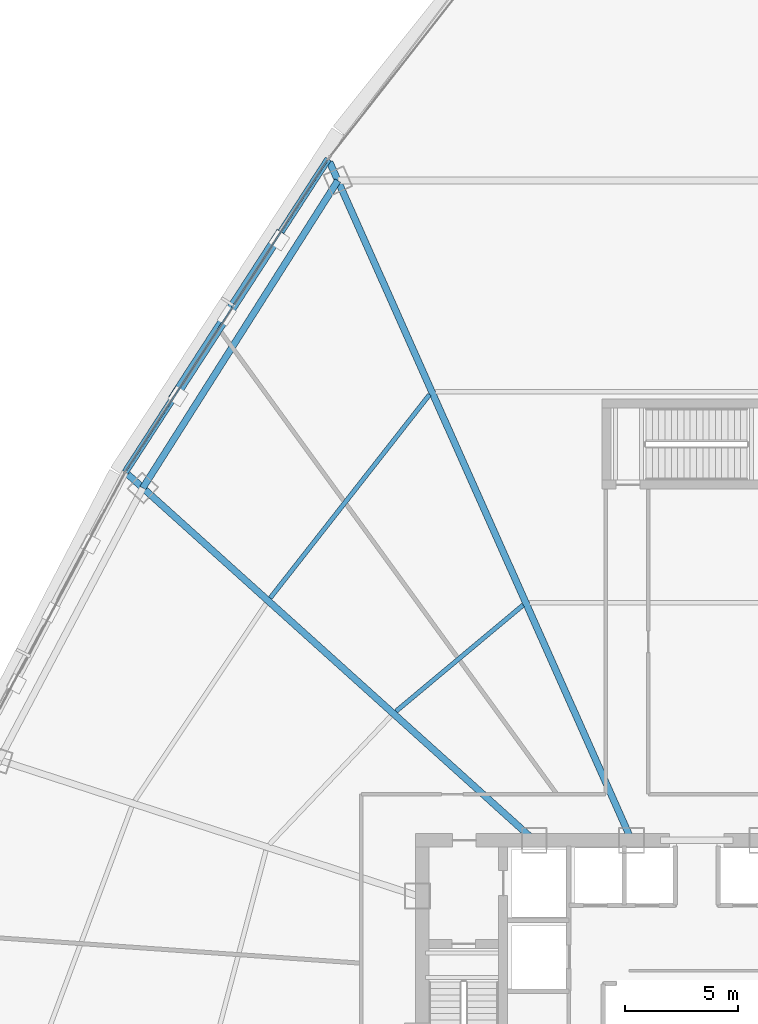
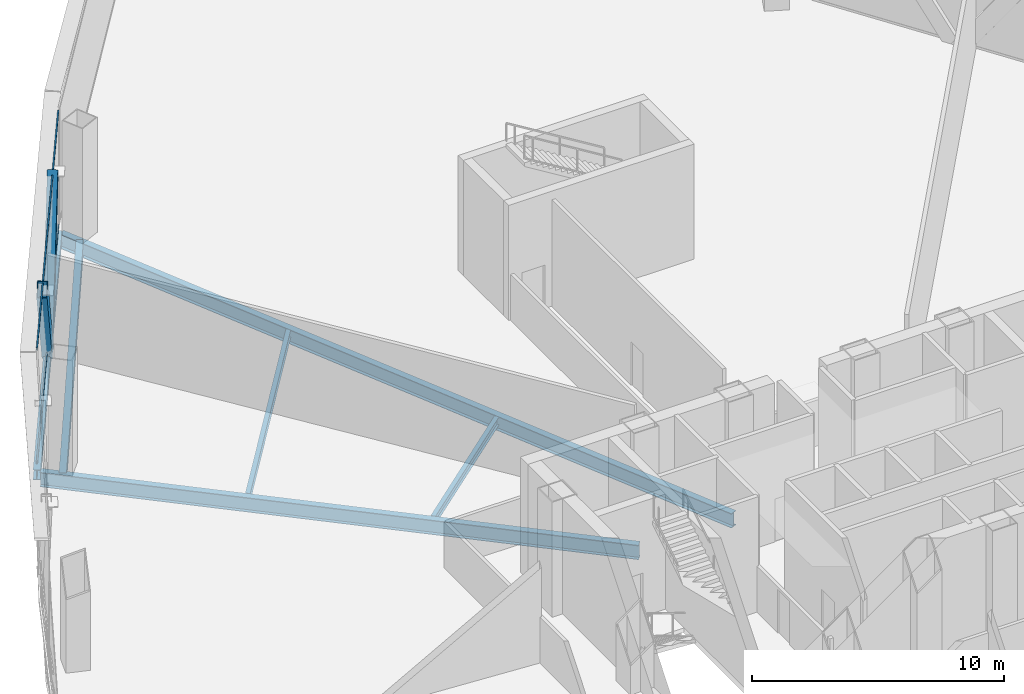
# One storey, part 16 of 36: 6 beams, 4 members, 1 element without a shape of its own.
"""IFC4 building model written with IfcOpenShell, lengths in metres."""

from ifc_helpers import new_model, si_unit, direction, frame, origin, origin_2d, place, context, subcontext, project, spatial, hollow_rectangle, i_section, extrude, source, transform, mapped, material, layer, layer_set, material_profile, profile_set, type_object, element, aggregate, save


model = new_model("IFC4")

# Units and contexts
model_context = context("Model", 3, precision=1e-05, world=origin(), true_north=direction((0.0, 1.0)))
body_context = subcontext(model_context, "Body", "Model", "MODEL_VIEW")
ifc_project = project(units=[si_unit("LENGTHUNIT", "METRE"), si_unit("AREAUNIT", "SQUARE_METRE"), si_unit("VOLUMEUNIT", "CUBIC_METRE"), si_unit("PLANEANGLEUNIT", "RADIAN"), si_unit("MASSUNIT", "GRAM", prefix="KILO"), si_unit("THERMODYNAMICTEMPERATUREUNIT", "KELVIN"), si_unit("POWERUNIT", "WATT")], contexts=[model_context])

# Site, building, storey
site_placement = place(None, origin())
site = spatial("IfcSite", under=ifc_project, at=site_placement, CompositionType="ELEMENT")
building_placement = place(site_placement, origin())
building = spatial("IfcBuilding", under=site, at=building_placement, Name="Yunzhuo Pagoda Commons", CompositionType="ELEMENT")
storey_placement = place(building_placement, frame((0.0, 0.0, 119.179931640625)))
storey = spatial("IfcBuildingStorey", under=building, at=storey_placement, Name="L30", CompositionType="ELEMENT", Elevation=119.179931640625)

# Beams
ifc_material_1 = material(Name="Structural steel Q355B", Category="steel")
ifc_material_profile_1 = material_profile(ifc_material_1, i_section(OverallWidth=0.300048828125, OverallDepth=0.699951171875, WebThickness=0.012939453125, FlangeThickness=0.02392578125, at=origin_2d()), Name="Structural steel Q355B")
ifc_profile_set_1 = profile_set([ifc_material_profile_1], Name="Structural steel Q355B")
beam_type_1 = type_object("IfcBeamType", Name="B-RG1 Beam HN 700x300x13x24", PredefinedType="BEAM", material=ifc_profile_set_1)
shared_shape_1 = source(origin(), body_context, "Body", "SweptSolid", [
    extrude(i_section(OverallWidth=0.300048828125, OverallDepth=0.699951171875, WebThickness=0.012939453125, FlangeThickness=0.02392578125, at=origin_2d()), origin(), (0.0, 0.0, 1.0), 16.16845703125),
])
beam_1_placement = place(storey_placement, frame((32.05859375, 69.505126953125, -0.6298828125), z_axis=(-0.535695673154, -0.844411123662, 0.0), x_axis=(0.844411123662, -0.535695673154, 0.0)))
element("IfcBeam", 1, at=beam_1_placement, inside=storey, type_object=beam_type_1, Name="L30 column-ring beam 9", PredefinedType="BEAM", context=body_context, shape_type="MappedRepresentation", body=[
    mapped(shared_shape_1, transform((0.0, 0.0, 0.0), scale=1.0)),
])
ifc_material_profile_2 = material_profile(ifc_material_1, i_section(OverallWidth=0.199951171875, OverallDepth=0.39990234375, WebThickness=0.008056640625, FlangeThickness=0.012939453125, at=origin_2d()), Name="Structural steel Q355B")
ifc_profile_set_2 = profile_set([ifc_material_profile_2], Name="Structural steel Q355B")
beam_type_2 = type_object("IfcBeamType", Name="B-JS1 Joist HN 400x200x8x13", PredefinedType="JOIST", material=ifc_profile_set_2)
shared_shape_2 = source(origin(), body_context, "Body", "SweptSolid", [
    extrude(i_section(OverallWidth=0.199951171875, OverallDepth=0.39990234375, WebThickness=0.008056640625, FlangeThickness=0.012939453125, at=origin_2d()), origin(), (0.0, 0.0, 1.0), 7.35009765625),
])
beam_2_placement = place(storey_placement, frame((40.286865234375, 50.64794921875, -0.47998046875), z_axis=(-0.767561992249, -0.640974717173, 0.0), x_axis=(0.640974717173, -0.767561992249, 0.0)))
element("IfcBeam", 2, at=beam_2_placement, inside=storey, type_object=beam_type_2, Name="L30 composite ring joist 1.9", PredefinedType="JOIST", context=body_context, shape_type="MappedRepresentation", body=[
    mapped(shared_shape_2, transform((0.0, 0.0, 0.0), scale=1.0)),
])
shared_shape_3 = source(origin(), body_context, "Body", "SweptSolid", [
    extrude(i_section(OverallWidth=0.199951171875, OverallDepth=0.39990234375, WebThickness=0.008056640625, FlangeThickness=0.012939453125, at=origin_2d()), origin(), (0.0, 0.0, 1.0), 11.4755859375),
])
beam_3_placement = place(storey_placement, frame((36.135498046875, 60.002197265625, -0.47998046875), z_axis=(-0.616713174055, -0.787187945123, 0.0), x_axis=(0.787187945123, -0.616713174055, 0.0)))
element("IfcBeam", 3, at=beam_3_placement, inside=storey, type_object=beam_type_2, Name="L30 composite ring joist 2.9", PredefinedType="JOIST", context=body_context, shape_type="MappedRepresentation", body=[
    mapped(shared_shape_3, transform((0.0, 0.0, 0.0), scale=1.0)),
])
shared_shape_4 = source(origin(), body_context, "Body", "SweptSolid", [
    extrude(i_section(OverallWidth=0.300048828125, OverallDepth=0.699951171875, WebThickness=0.012939453125, FlangeThickness=0.02392578125, at=origin_2d()), origin(), (0.0, 0.0, 1.0), 24.287353515625),
])
beam_4_placement = place(storey_placement, frame((22.732177734375, 56.451416015625, -0.6298828125), z_axis=(0.74314017772, -0.669135768181, 0.0), x_axis=(0.669135768181, 0.74314017772, 0.0)))
element("IfcBeam", 4, at=beam_4_placement, inside=storey, type_object=beam_type_1, Name="L30 radial floor girder F3C2", PredefinedType="BEAM", context=body_context, shape_type="MappedRepresentation", body=[
    mapped(shared_shape_4, transform((0.0, 0.0, 0.0), scale=1.0)),
])
shared_shape_5 = source(origin(), body_context, "Body", "SweptSolid", [
    extrude(i_section(OverallWidth=0.300048828125, OverallDepth=0.699951171875, WebThickness=0.012939453125, FlangeThickness=0.02392578125, at=origin_2d()), origin(), (0.0, 0.0, 1.0), 32.973388671875),
])
beam_5_placement = place(storey_placement, frame((31.694580078125, 70.32275390625, -0.6298828125), z_axis=(0.406732621123, -0.913547248321, 0.0), x_axis=(0.913547248321, 0.406732621123, 0.0)))
element("IfcBeam", 5, at=beam_5_placement, inside=storey, type_object=beam_type_1, Name="L30 radial floor girder F3C1", PredefinedType="BEAM", context=body_context, shape_type="MappedRepresentation", body=[
    mapped(shared_shape_5, transform((0.0, 0.0, 0.0), scale=1.0)),
])
ifc_material_profile_3 = material_profile(ifc_material_1, i_section(OverallWidth=0.300048828125, OverallDepth=0.488037109375, WebThickness=0.010986328125, FlangeThickness=0.01806640625, at=origin_2d()), Name="Structural steel Q355B")
ifc_profile_set_3 = profile_set([ifc_material_profile_3], Name="Structural steel Q355B")
beam_type_3 = type_object("IfcBeamType", Name="B-SP1 Beam HM 488x300x11x18", PredefinedType="BEAM", material=ifc_profile_set_3)
shared_shape_6 = source(origin(), body_context, "Body", "SweptSolid", [
    extrude(i_section(OverallWidth=0.300048828125, OverallDepth=0.488037109375, WebThickness=0.010986328125, FlangeThickness=0.01806640625, at=origin_2d()), origin(), (0.0, 0.0, 1.0), 16.575439453125),
])
beam_6_placement = place(storey_placement, frame((31.631591796875, 70.464599609375, -0.52392578125), z_axis=(-0.543858191625, -0.839177137083, 0.0), x_axis=(0.839177137083, -0.543858191625, 0.0)))
element("IfcBeam", 6, at=beam_6_placement, inside=storey, type_object=beam_type_3, Name="L30 facade edge spandrel beam F3.1", PredefinedType="BEAM", context=body_context, shape_type="MappedRepresentation", body=[
    mapped(shared_shape_6, transform((0.0, 0.0, 0.0), scale=1.0)),
])

# Members
ifc_material_2 = material(Name="Structural steel Q420B", Category="steel")
ifc_material_profile_4 = material_profile(ifc_material_2, hollow_rectangle(XDim=0.419921875, YDim=0.719970703125, WallThickness=0.028076171875, at=origin_2d()), Name="Structural steel Q420B")
ifc_profile_set_4 = profile_set([ifc_material_profile_4], Name="Structural steel Q420B")
member_type_1 = type_object("IfcMemberType", Name="M-DL1 Brace BOX 720x420x28", PredefinedType="BRACE", material=ifc_profile_set_4)
shared_shape_7 = source(origin(), body_context, "Body", "SweptSolid", [
    extrude(hollow_rectangle(XDim=0.419921875, YDim=0.719970703125, WallThickness=0.028076171875, at=origin_2d()), origin(), (0.0, 0.0, 1.0), 7.169189453125),
])
member_1_placement = place(storey_placement, frame((27.124267578125, 63.509765625, -0.280029296875), z_axis=(0.314357993858, 0.485073693479, 0.816016276548), x_axis=(-0.839185849972, 0.543844747338, 0.0)))
element("IfcMember", 7, at=member_1_placement, inside=storey, type_object=member_type_1, Name="L30 facade diamond brace F3.1L", PredefinedType="BRACE", context=body_context, shape_type="MappedRepresentation", body=[
    mapped(shared_shape_7, transform((0.0, 0.0, 0.0), scale=1.0)),
])
shared_shape_8 = source(origin(), body_context, "Body", "SweptSolid", [
    extrude(hollow_rectangle(XDim=0.419921875, YDim=0.719970703125, WallThickness=0.028076171875, at=origin_2d()), origin(), (0.0, 0.0, 1.0), 7.1689453125),
])
member_2_placement = place(storey_placement, frame((27.124267578125, 63.509765625, -0.280029296875), z_axis=(-0.314327304075, -0.485078886158, 0.816025011943), x_axis=(0.839212737856, -0.543803255434, 0.0)))
element("IfcMember", 8, at=member_2_placement, inside=storey, type_object=member_type_1, Name="L30 facade diamond brace F3.1R", PredefinedType="BRACE", context=body_context, shape_type="MappedRepresentation", body=[
    mapped(shared_shape_8, transform((0.0, 0.0, 0.0), scale=1.0)),
])

# Curtain wall, members
ifc_material_3 = material(Name="Anodized aluminium 6063-T6", Category="aluminium")
ifc_layer = layer(ifc_material_3, 0.1650390625)
ifc_layer_set = layer_set([ifc_layer], Name="Anodized aluminium 6063-T6")
curtain_wall_type = type_object("IfcCurtainWallType", Name="CW-LOW Low-Zone Ribbon Curtain Wall", PredefinedType="NOTDEFINED", material=ifc_layer_set)
curtain_wall_placement = place(storey_placement, origin())
curtain_wall = element("IfcCurtainWall", 9, at=curtain_wall_placement, inside=storey, type_object=curtain_wall_type, Name="L30 curtain wall CW-L30-F3B2", PredefinedType="NOTDEFINED")
ifc_material_profile_5 = material_profile(ifc_material_3, hollow_rectangle(XDim=0.06005859375, YDim=0.139892578125, WallThickness=0.00341796875, at=origin_2d()), Name="Anodized aluminium 6063-T6")
ifc_profile_set_5 = profile_set([ifc_material_profile_5], Name="Anodized aluminium 6063-T6")
member_type_2 = type_object("IfcMemberType", Name="CW-LOW-T Transom RHS 140x60x3.5", PredefinedType="USERDEFINED", material=ifc_profile_set_5)
shared_shape_9 = source(origin(), body_context, "Body", "SweptSolid", [
    extrude(hollow_rectangle(XDim=0.06005859375, YDim=0.139892578125, WallThickness=0.00341796875, at=origin_2d()), origin(), (0.0, 0.0, 1.0), 16.44482421875),
])
member_3_placement = place(storey_placement, frame((31.59619140625, 70.40966796875, 0.030029296875), z_axis=(-0.543868544018, -0.839170427761, 0.0), x_axis=(0.839170427761, -0.543868544018, 0.0)))
member_3 = element("IfcMember", 10, at=member_3_placement, type_object=member_type_2, Name="CW transom 1.1", ObjectType="TRANSOM", PredefinedType="USERDEFINED", context=body_context, shape_type="MappedRepresentation", body=[
    mapped(shared_shape_9, transform((0.0, 0.0, 0.0), scale=1.0)),
])
member_4_placement = place(storey_placement, frame((31.59619140625, 70.40966796875, 5.5400390625), z_axis=(-0.543868544018, -0.839170427761, 0.0), x_axis=(0.839170427761, -0.543868544018, 0.0)))
member_4 = element("IfcMember", 11, at=member_4_placement, type_object=member_type_2, Name="CW transom 1.2", ObjectType="TRANSOM", PredefinedType="USERDEFINED", context=body_context, shape_type="MappedRepresentation", body=[
    mapped(shared_shape_9, transform((0.0, 0.0, 0.0), scale=1.0)),
])
aggregate(curtain_wall, [member_3, member_4])

save(model, "model.ifc")
